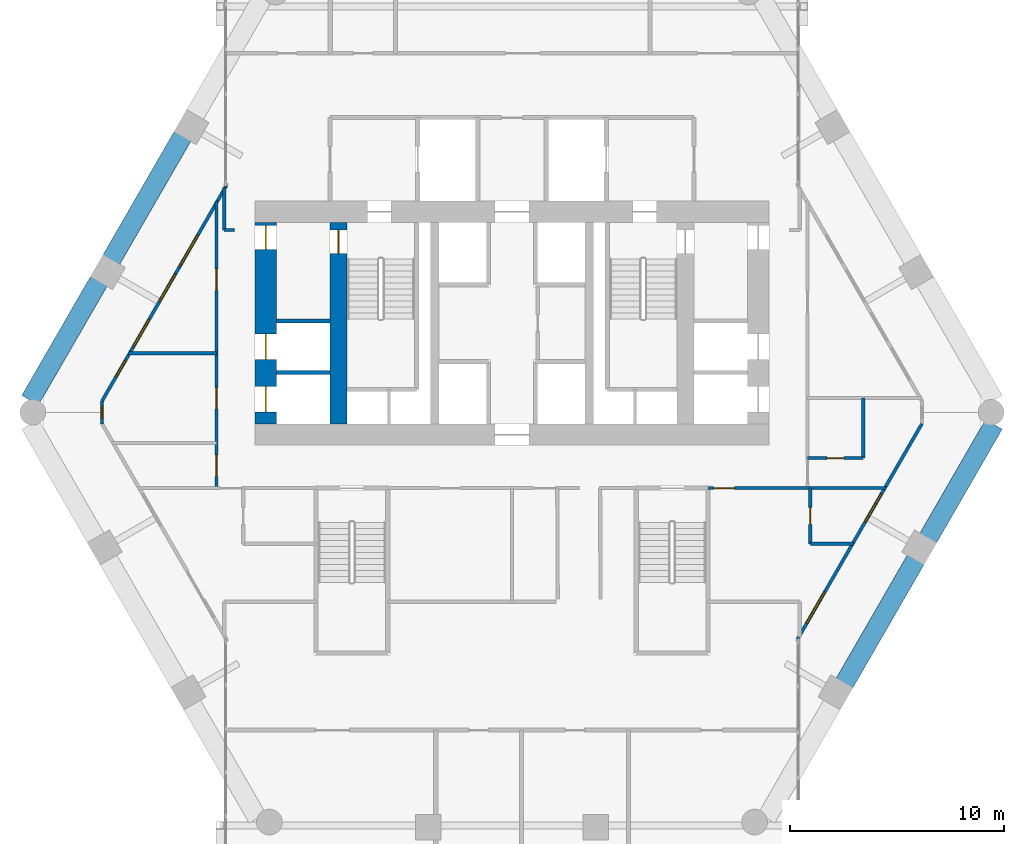
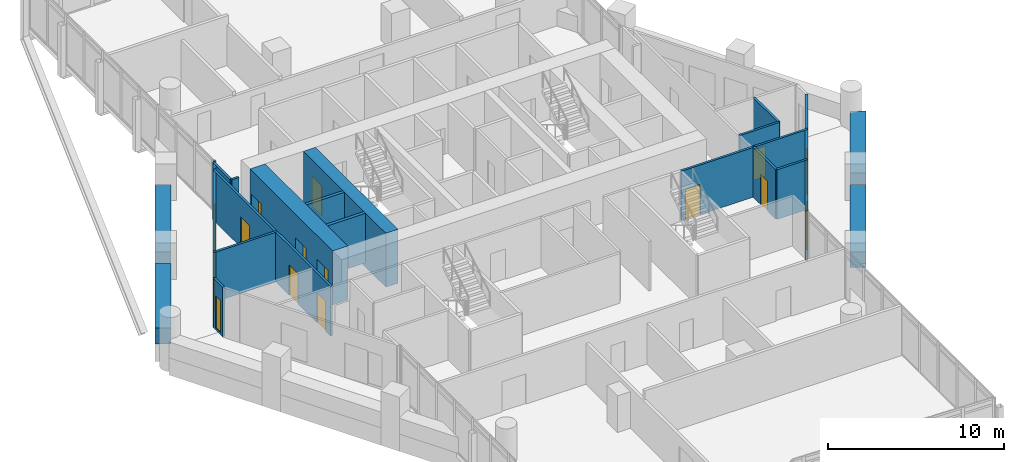
# One storey, part 31 of 37: 20 walls, 10 doors, 7 windows, 17 openings.
"""IFC4 building model written with IfcOpenShell, lengths in metres."""

from ifc_helpers import new_model, si_unit, direction, frame, frame_2d, origin, place, context, subcontext, project, spatial, rectangle, extrude, material, layer, layer_set, type_object, element, fill, save


model = new_model("IFC4")

# Units and contexts
model_context = context("Model", 3, precision=1e-05, world=origin(), true_north=direction((0.0, 1.0)))
body_context = subcontext(model_context, "Body", "Model", "MODEL_VIEW")
ifc_project = project(units=[si_unit("LENGTHUNIT", "METRE"), si_unit("AREAUNIT", "SQUARE_METRE"), si_unit("VOLUMEUNIT", "CUBIC_METRE"), si_unit("PLANEANGLEUNIT", "RADIAN"), si_unit("MASSUNIT", "GRAM", prefix="KILO")], contexts=[model_context])

# Site, building, storey
site_placement = place(None, origin())
site = spatial("IfcSite", under=ifc_project, at=site_placement, CompositionType="ELEMENT")
building_placement = place(site_placement, origin())
building = spatial("IfcBuilding", under=site, at=building_placement, Name="Ostrander Bayou Hotel Tower", CompositionType="ELEMENT")
storey_placement = place(building_placement, frame((0.0, 0.0, 93.0)))
storey = spatial("IfcBuildingStorey", under=building, at=storey_placement, Name="L23", CompositionType="ELEMENT", Elevation=93.0)

# Wall, openings, doors
ifc_material_1 = material(Name="Concrete f'c 70 MPa", Category="concrete")
ifc_layer_1 = layer(ifc_material_1, 1.0)
ifc_layer_set_1 = layer_set([ifc_layer_1], Name="CW4 core wall 1000 mm f'c 70 MPa")
wall_type_1 = type_object("IfcWallType", Name="CW4 core wall 1000 mm f'c 70 MPa", PredefinedType="SHEAR", material=ifc_layer_set_1)
wall_1_placement = place(storey_placement, frame((-11.5, -0.699951171875, -0.300048828125), z_axis=(0.0, 0.0, 1.0), x_axis=(0.0, 1.0, 0.0)))
wall_1 = element("IfcWall", 1, at=wall_1_placement, inside=storey, type_object=wall_type_1, Name="CW4 L23 RW", PredefinedType="SHEAR", context=body_context, shape_type="SweptSolid", body=[
    extrude(rectangle(XDim=9.39990234375, YDim=1.0, at=frame_2d((4.699951171875, 0.0))), origin(), (0.0, 0.0, 1.0), 3.75),
])
opening_1_placement = place(wall_1_placement, frame((8.14990234375, 0.0, 0.0)))
opening_1 = element("IfcOpeningElement", 2, at=opening_1_placement, cuts=wall_1, Name="Opening T23-015", PredefinedType="OPENING", context=body_context, shape_type="SweptSolid", body=[
    extrude(rectangle(XDim=1.10009765625, YDim=2.10009765625, at=frame_2d((0.550048828125, 1.050048828125))), frame((0.0, 0.5, 0.0), z_axis=(0.0, -1.0, 0.0), x_axis=(1.0, 0.0, 0.0)), (0.0, 0.0, 1.0), 1.0),
])
opening_2_placement = place(wall_1_placement, frame((0.550048828125, 0.0, 0.0)))
opening_2 = element("IfcOpeningElement", 3, at=opening_2_placement, cuts=wall_1, Name="Opening T23-016", PredefinedType="OPENING", context=body_context, shape_type="SweptSolid", body=[
    extrude(rectangle(XDim=1.199951171875, YDim=2.10009765625, at=frame_2d((0.60009765625, 1.050048828125))), frame((0.0, 0.5, 0.0), z_axis=(0.0, -1.0, 0.0), x_axis=(1.0, 0.0, 0.0)), (0.0, 0.0, 1.0), 1.0),
])
opening_3_placement = place(wall_1_placement, frame((3.0, 0.0, 0.0)))
opening_3 = element("IfcOpeningElement", 4, at=opening_3_placement, cuts=wall_1, Name="Opening T23-017", PredefinedType="OPENING", context=body_context, shape_type="SweptSolid", body=[
    extrude(rectangle(XDim=1.199951171875, YDim=2.10009765625, at=frame_2d((0.60009765625, 1.050048828125))), frame((0.0, 0.5, 0.0), z_axis=(0.0, -1.0, 0.0), x_axis=(1.0, 0.0, 0.0)), (0.0, 0.0, 1.0), 1.0),
])
ifc_material_2 = material(Name="Timber door leaf", Category="wood")
door_type_1 = type_object("IfcDoorType", Name="D5 stair door 1100 x 2100 mm, 90 minute", OperationType="SINGLE_SWING_LEFT", PredefinedType="DOOR", material=ifc_material_2)
door_1_placement = place(opening_1_placement, origin())
door_1 = element("IfcDoor", 5, at=door_1_placement, inside=storey, type_object=door_type_1, Name="dr:L23:015", OperationType="SINGLE_SWING_LEFT", OverallHeight=2.10009765625, OverallWidth=1.10009765625, PredefinedType="DOOR", context=body_context, shape_type="SweptSolid", body=[
    extrude(rectangle(XDim=1.10009765625, YDim=2.10009765625, at=frame_2d((0.550048828125, 1.050048828125))), frame((0.0, 0.02490234375, 0.0), z_axis=(0.0, -1.0, 0.0), x_axis=(1.0, 0.0, 0.0)), (0.0, 0.0, 1.0), 0.050048828125),
])
fill(opening_1, door_1)
ifc_material_3 = material(Name="Stainless steel sliding door", Category="steel")
door_type_2 = type_object("IfcDoorType", Name="LD1 lift landing door 1200 x 2100 mm", OperationType="SINGLE_SWING_LEFT", PredefinedType="DOOR", material=ifc_material_3)
door_2_placement = place(opening_2_placement, origin())
door_2 = element("IfcDoor", 6, at=door_2_placement, inside=storey, type_object=door_type_2, Name="dr:L23:016", OperationType="SLIDING_TO_LEFT", OverallHeight=2.10009765625, OverallWidth=1.199951171875, PredefinedType="DOOR", context=body_context, shape_type="SweptSolid", body=[
    extrude(rectangle(XDim=1.199951171875, YDim=2.10009765625, at=frame_2d((0.60009765625, 1.050048828125))), frame((0.0, 0.02490234375, 0.0), z_axis=(0.0, -1.0, 0.0), x_axis=(1.0, 0.0, 0.0)), (0.0, 0.0, 1.0), 0.050048828125),
])
fill(opening_2, door_2)
door_3_placement = place(opening_3_placement, origin())
door_3 = element("IfcDoor", 7, at=door_3_placement, inside=storey, type_object=door_type_2, Name="dr:L23:017", OperationType="SLIDING_TO_LEFT", OverallHeight=2.10009765625, OverallWidth=1.199951171875, PredefinedType="DOOR", context=body_context, shape_type="SweptSolid", body=[
    extrude(rectangle(XDim=1.199951171875, YDim=2.10009765625, at=frame_2d((0.60009765625, 1.050048828125))), frame((0.0, 0.02490234375, 0.0), z_axis=(0.0, -1.0, 0.0), x_axis=(1.0, 0.0, 0.0)), (0.0, 0.0, 1.0), 0.050048828125),
])
fill(opening_3, door_3)

# Wall, opening, door
ifc_material_4 = material(Name="Concrete f'c 70 MPa", Category="concrete")
ifc_layer_2 = layer(ifc_material_4, 0.800048828125)
ifc_layer_set_2 = layer_set([ifc_layer_2], Name="CW5 core spine wall 800 mm f'c 70 MPa")
wall_type_2 = type_object("IfcWallType", Name="CW5 core spine wall 800 mm f'c 70 MPa", PredefinedType="SHEAR", material=ifc_layer_set_2)
wall_2_placement = place(storey_placement, frame((-8.10009765625, -0.699951171875, -0.300048828125), z_axis=(0.0, 0.0, 1.0), x_axis=(0.0, 1.0, 0.0)))
wall_2 = element("IfcWall", 8, at=wall_2_placement, inside=storey, type_object=wall_type_2, Name="CW5 L23 W", PredefinedType="SHEAR", context=body_context, shape_type="SweptSolid", body=[
    extrude(rectangle(XDim=9.39990234375, YDim=0.800048828125, at=frame_2d((4.699951171875, 0.0))), origin(), (0.0, 0.0, 1.0), 3.75),
])
opening_4_placement = place(wall_2_placement, frame((7.949951171875, 0.0, 0.0)))
opening_4 = element("IfcOpeningElement", 9, at=opening_4_placement, cuts=wall_2, Name="Opening T23-004", PredefinedType="OPENING", context=body_context, shape_type="SweptSolid", body=[
    extrude(rectangle(XDim=1.10009765625, YDim=2.10009765625, at=frame_2d((0.550048828125, 1.050048828125))), frame((0.0, 0.39990234375, 0.0), z_axis=(0.0, -1.0, 0.0), x_axis=(1.0, 0.0, 0.0)), (0.0, 0.0, 1.0), 0.800048828125),
])
door_4_placement = place(opening_4_placement, origin())
door_4 = element("IfcDoor", 10, at=door_4_placement, inside=storey, type_object=door_type_1, Name="dr:L23:004", OperationType="SINGLE_SWING_RIGHT", OverallHeight=2.10009765625, OverallWidth=1.10009765625, PredefinedType="DOOR", context=body_context, shape_type="SweptSolid", body=[
    extrude(rectangle(XDim=1.10009765625, YDim=2.10009765625, at=frame_2d((0.550048828125, 1.050048828125))), frame((0.0, 0.02490234375, 0.0), z_axis=(0.0, -1.0, 0.0), x_axis=(1.0, 0.0, 0.0)), (0.0, 0.0, 1.0), 0.050048828125),
])
fill(opening_4, door_4)

# Wall, openings, windows
ifc_material_5 = material(Name="Aluminium framed insulated wall", Category="aluminium")
ifc_layer_3 = layer(ifc_material_5, 0.14990234375)
ifc_layer_set_3 = layer_set([ifc_layer_3], Name="GW1 glass-line wall 150 mm")
wall_type_3 = type_object("IfcWallType", Name="GW1 glass-line wall 150 mm", PredefinedType="SOLIDWALL", material=ifc_layer_set_3)
wall_3_placement = place(storey_placement, frame((-13.333984375, 10.427490234375, 0.0), z_axis=(0.0, 0.0, 1.0), x_axis=(-0.500002662854, -0.86602386638, 0.0)))
wall_3 = element("IfcWall", 11, at=wall_3_placement, inside=storey, type_object=wall_type_3, Name="GW1 L23 NW 1", PredefinedType="SOLIDWALL", context=body_context, shape_type="SweptSolid", body=[
    extrude(rectangle(XDim=11.61474609375, YDim=0.14990234375, at=frame_2d((5.807373046875, 0.0))), origin(), (0.0, 0.0, 1.0), 3.449951171875),
])
opening_5_placement = place(wall_3_placement, frame((2.66357421875, 0.0, 0.14990234375)))
opening_5 = element("IfcOpeningElement", 12, at=opening_5_placement, cuts=wall_3, Name="Opening W8", PredefinedType="OPENING", context=body_context, shape_type="SweptSolid", body=[
    extrude(rectangle(XDim=1.699951171875, YDim=2.199951171875, at=frame_2d((0.85009765625, 1.10009765625))), frame((0.0, 0.074951171875, 0.0), z_axis=(0.0, -1.0, 0.0), x_axis=(1.0, 0.0, 0.0)), (0.0, 0.0, 1.0), 0.14990234375),
])
opening_6_placement = place(wall_3_placement, frame((4.763671875, 0.0, 0.14990234375)))
opening_6 = element("IfcOpeningElement", 13, at=opening_6_placement, cuts=wall_3, Name="Opening W12", PredefinedType="OPENING", context=body_context, shape_type="SweptSolid", body=[
    extrude(rectangle(XDim=1.5, YDim=2.199951171875, at=frame_2d((0.75, 1.10009765625))), frame((0.0, 0.074951171875, 0.0), z_axis=(0.0, -1.0, 0.0), x_axis=(1.0, 0.0, 0.0)), (0.0, 0.0, 1.0), 0.14990234375),
])
opening_7_placement = place(wall_3_placement, frame((9.414306640625, 0.0, 0.14990234375)))
opening_7 = element("IfcOpeningElement", 14, at=opening_7_placement, cuts=wall_3, Name="Opening W16", PredefinedType="OPENING", context=body_context, shape_type="SweptSolid", body=[
    extrude(rectangle(XDim=0.89990234375, YDim=2.199951171875, at=frame_2d((0.449951171875, 1.10009765625))), frame((0.0, 0.074951171875, 0.0), z_axis=(0.0, -1.0, 0.0), x_axis=(1.0, 0.0, 0.0)), (0.0, 0.0, 1.0), 0.14990234375),
])
opening_8_placement = place(wall_3_placement, frame((7.21435546875, 0.0, 0.14990234375)))
opening_8 = element("IfcOpeningElement", 15, at=opening_8_placement, cuts=wall_3, Name="Opening W12", PredefinedType="OPENING", context=body_context, shape_type="SweptSolid", body=[
    extrude(rectangle(XDim=1.5, YDim=2.199951171875, at=frame_2d((0.75, 1.10009765625))), frame((0.0, 0.074951171875, 0.0), z_axis=(0.0, -1.0, 0.0), x_axis=(1.0, 0.0, 0.0)), (0.0, 0.0, 1.0), 0.14990234375),
])
ifc_material_6 = material(Name="Aluminium and clear glass", Category="aluminium")
window_type_1 = type_object("IfcWindowType", Name="W12 fixed window 1500 mm, bath bay, zone 2", PartitioningType="SINGLE_PANEL", PredefinedType="WINDOW", material=ifc_material_6)
window_1_placement = place(opening_6_placement, origin())
window_1 = element("IfcWindow", 16, at=window_1_placement, inside=storey, type_object=window_type_1, Name="W12 L23 NW 3", OverallHeight=2.199951171875, OverallWidth=1.5, PartitioningType="SINGLE_PANEL", PredefinedType="WINDOW", context=body_context, shape_type="SweptSolid", body=[
    extrude(rectangle(XDim=1.5, YDim=2.199951171875, at=frame_2d((0.75, 1.10009765625))), frame((0.0, 0.030029296875, 0.0), z_axis=(0.0, -1.0, 0.0), x_axis=(1.0, 0.0, 0.0)), (0.0, 0.0, 1.0), 0.06005859375),
])
fill(opening_6, window_1)
window_2_placement = place(opening_8_placement, origin())
window_2 = element("IfcWindow", 17, at=window_2_placement, inside=storey, type_object=window_type_1, Name="W12 L23 NW 4", OverallHeight=2.199951171875, OverallWidth=1.5, PartitioningType="SINGLE_PANEL", PredefinedType="WINDOW", context=body_context, shape_type="SweptSolid", body=[
    extrude(rectangle(XDim=1.5, YDim=2.199951171875, at=frame_2d((0.75, 1.10009765625))), frame((0.0, 0.030029296875, 0.0), z_axis=(0.0, -1.0, 0.0), x_axis=(1.0, 0.0, 0.0)), (0.0, 0.0, 1.0), 0.06005859375),
])
fill(opening_8, window_2)
ifc_material_7 = material(Name="Aluminium and clear glass", Category="aluminium")
window_type_2 = type_object("IfcWindowType", Name="W16 window 900 mm, zone 2", PartitioningType="SINGLE_PANEL", PredefinedType="WINDOW", material=ifc_material_7)
window_3_placement = place(opening_7_placement, origin())
window_3 = element("IfcWindow", 18, at=window_3_placement, inside=storey, type_object=window_type_2, Name="W16 L23 NW 4", OverallHeight=2.199951171875, OverallWidth=0.89990234375, PartitioningType="SINGLE_PANEL", PredefinedType="WINDOW", context=body_context, shape_type="SweptSolid", body=[
    extrude(rectangle(XDim=0.89990234375, YDim=2.199951171875, at=frame_2d((0.449951171875, 1.10009765625))), frame((0.0, 0.030029296875, 0.0), z_axis=(0.0, -1.0, 0.0), x_axis=(1.0, 0.0, 0.0)), (0.0, 0.0, 1.0), 0.06005859375),
])
fill(opening_7, window_3)
ifc_material_8 = material(Name="Aluminium and clear glass", Category="aluminium")
window_type_3 = type_object("IfcWindowType", Name="W8 fixed window 1700 mm, bar storeys, zone 2", PartitioningType="SINGLE_PANEL", PredefinedType="WINDOW", material=ifc_material_8)
window_4_placement = place(opening_5_placement, origin())
window_4 = element("IfcWindow", 19, at=window_4_placement, inside=storey, type_object=window_type_3, Name="W8 L23 NW 3", OverallHeight=2.199951171875, OverallWidth=1.699951171875, PartitioningType="SINGLE_PANEL", PredefinedType="WINDOW", context=body_context, shape_type="SweptSolid", body=[
    extrude(rectangle(XDim=1.699951171875, YDim=2.199951171875, at=frame_2d((0.85009765625, 1.10009765625))), frame((0.0, 0.030029296875, 0.0), z_axis=(0.0, -1.0, 0.0), x_axis=(1.0, 0.0, 0.0)), (0.0, 0.0, 1.0), 0.06005859375),
])
fill(opening_5, window_4)

wall_4_placement = place(storey_placement, frame((13.333984375, -10.7548828125, 0.0), z_axis=(0.0, 0.0, 1.0), x_axis=(0.500002662854, 0.86602386638, 0.0)))
wall_4 = element("IfcWall", 20, at=wall_4_placement, inside=storey, type_object=wall_type_3, Name="GW1 L23 SE 1", PredefinedType="SOLIDWALL", context=body_context, shape_type="SweptSolid", body=[
    extrude(rectangle(XDim=11.61474609375, YDim=0.14990234375, at=frame_2d((5.807373046875, 0.0))), origin(), (0.0, 0.0, 1.0), 3.449951171875),
])
opening_9_placement = place(wall_4_placement, frame((0.84716796875, 0.0, 0.14990234375)))
opening_9 = element("IfcOpeningElement", 21, at=opening_9_placement, cuts=wall_4, Name="Opening W8", PredefinedType="OPENING", context=body_context, shape_type="SweptSolid", body=[
    extrude(rectangle(XDim=1.699951171875, YDim=2.199951171875, at=frame_2d((0.85009765625, 1.10009765625))), frame((0.0, 0.074951171875, 0.0), z_axis=(0.0, -1.0, 0.0), x_axis=(1.0, 0.0, 0.0)), (0.0, 0.0, 1.0), 0.14990234375),
])
opening_10_placement = place(wall_4_placement, frame((6.322265625, 0.0, 0.14990234375)))
opening_10 = element("IfcOpeningElement", 22, at=opening_10_placement, cuts=wall_4, Name="Opening W12", PredefinedType="OPENING", context=body_context, shape_type="SweptSolid", body=[
    extrude(rectangle(XDim=1.5, YDim=2.199951171875, at=frame_2d((0.75, 1.10009765625))), frame((0.0, 0.074951171875, 0.0), z_axis=(0.0, -1.0, 0.0), x_axis=(1.0, 0.0, 0.0)), (0.0, 0.0, 1.0), 0.14990234375),
])
window_5_placement = place(opening_10_placement, origin())
window_5 = element("IfcWindow", 23, at=window_5_placement, inside=storey, type_object=window_type_1, Name="W12 L23 SE 3", OverallHeight=2.199951171875, OverallWidth=1.5, PartitioningType="SINGLE_PANEL", PredefinedType="WINDOW", context=body_context, shape_type="SweptSolid", body=[
    extrude(rectangle(XDim=1.5, YDim=2.199951171875, at=frame_2d((0.75, 1.10009765625))), frame((0.0, 0.030029296875, 0.0), z_axis=(0.0, -1.0, 0.0), x_axis=(1.0, 0.0, 0.0)), (0.0, 0.0, 1.0), 0.06005859375),
])
fill(opening_10, window_5)
window_6_placement = place(opening_9_placement, origin())
window_6 = element("IfcWindow", 24, at=window_6_placement, inside=storey, type_object=window_type_3, Name="W8 L23 SE 2", OverallHeight=2.199951171875, OverallWidth=1.699951171875, PartitioningType="SINGLE_PANEL", PredefinedType="WINDOW", context=body_context, shape_type="SweptSolid", body=[
    extrude(rectangle(XDim=1.699951171875, YDim=2.199951171875, at=frame_2d((0.85009765625, 1.10009765625))), frame((0.0, 0.030029296875, 0.0), z_axis=(0.0, -1.0, 0.0), x_axis=(1.0, 0.0, 0.0)), (0.0, 0.0, 1.0), 0.06005859375),
])
fill(opening_9, window_6)

# Wall, opening, window
wall_5_placement = place(storey_placement, frame((-19.141357421875, 0.368896484375, 0.0), z_axis=(0.0, 0.0, 1.0), x_axis=(0.0, -1.0, 0.0)))
wall_5 = element("IfcWall", 25, at=wall_5_placement, inside=storey, type_object=wall_type_3, Name="GW1 L23 corner 2", PredefinedType="SOLIDWALL", context=body_context, shape_type="SweptSolid", body=[
    extrude(rectangle(XDim=1.065185546875, YDim=0.14990234375, at=frame_2d((0.53271484375, 0.0))), origin(), (0.0, 0.0, 1.0), 3.449951171875),
])
opening_11_placement = place(wall_5_placement, frame((0.257568359375, 0.0, 0.14990234375)))
opening_11 = element("IfcOpeningElement", 26, at=opening_11_placement, cuts=wall_5, Name="Opening W19", PredefinedType="OPENING", context=body_context, shape_type="SweptSolid", body=[
    extrude(rectangle(XDim=0.550048828125, YDim=2.199951171875, at=frame_2d((0.27490234375, 1.10009765625))), frame((0.0, 0.074951171875, 0.0), z_axis=(0.0, -1.0, 0.0), x_axis=(1.0, 0.0, 0.0)), (0.0, 0.0, 1.0), 0.14990234375),
])
ifc_material_9 = material(Name="Aluminium and clear glass", Category="aluminium")
window_type_4 = type_object("IfcWindowType", Name="W19 corner window 550 mm", PartitioningType="SINGLE_PANEL", PredefinedType="WINDOW", material=ifc_material_9)
window_7_placement = place(opening_11_placement, origin())
window_7 = element("IfcWindow", 27, at=window_7_placement, inside=storey, type_object=window_type_4, Name="W19 L23 corner 2", OverallHeight=2.199951171875, OverallWidth=0.550048828125, PartitioningType="SINGLE_PANEL", PredefinedType="WINDOW", context=body_context, shape_type="SweptSolid", body=[
    extrude(rectangle(XDim=0.550048828125, YDim=2.199951171875, at=frame_2d((0.27490234375, 1.10009765625))), frame((0.0, 0.030029296875, 0.0), z_axis=(0.0, -1.0, 0.0), x_axis=(1.0, 0.0, 0.0)), (0.0, 0.0, 1.0), 0.06005859375),
])
fill(opening_11, window_7)

# Walls
ifc_material_10 = material(Name="Concrete f'c 40 MPa", Category="concrete")
ifc_layer_4 = layer(ifc_material_10, 0.89990234375)
ifc_layer_set_4 = layer_set([ifc_layer_4], Name="PA1 stone-faced parapet 900 mm")
wall_type_4 = type_object("IfcWallType", Name="PA1 stone-faced parapet 900 mm", PredefinedType="PARAPET", material=ifc_layer_set_4)
wall_6_placement = place(storey_placement, frame((-15.380615234375, 12.73291015625, 0.0), z_axis=(0.0, 0.0, 1.0), x_axis=(-0.499999023957, -0.866025967302, 0.0)))
element("IfcWall", 28, at=wall_6_placement, inside=storey, type_object=wall_type_4, Name="PA1 L23 NW-2", PredefinedType="PARAPET", context=body_context, shape_type="SweptSolid", body=[
    extrude(rectangle(XDim=6.67333984375, YDim=0.89990234375, at=frame_2d((3.336669921875, 0.0))), origin(), (0.0, 0.0, 1.0), 1.10009765625),
])
wall_7_placement = place(storey_placement, frame((-19.287109375, 5.96630859375, 0.0), z_axis=(0.0, 0.0, 1.0), x_axis=(-0.500011789842, -0.866018596809, 0.0)))
element("IfcWall", 29, at=wall_7_placement, inside=storey, type_object=wall_type_4, Name="PA1 L23 NW-3", PredefinedType="PARAPET", context=body_context, shape_type="SweptSolid", body=[
    extrude(rectangle(XDim=6.427490234375, YDim=0.89990234375, at=frame_2d((3.2138671875, 0.0))), origin(), (0.0, 0.0, 1.0), 1.10009765625),
])
ifc_material_11 = material(Name="Limestone masonry", Category="masonry")
ifc_layer_5 = layer(ifc_material_11, 0.89990234375)
ifc_layer_set_5 = layer_set([ifc_layer_5], Name="PA2 limestone parapet 900 mm")
wall_type_5 = type_object("IfcWallType", Name="PA2 limestone parapet 900 mm", PredefinedType="PARAPET", material=ifc_layer_set_5)
wall_8_placement = place(storey_placement, frame((15.522216796875, -12.814697265625, 0.0), z_axis=(0.0, 0.0, 1.0), x_axis=(0.499999023957, 0.866025967302, 0.0)))
element("IfcWall", 30, at=wall_8_placement, inside=storey, type_object=wall_type_5, Name="PA2 L23 SE-2", PredefinedType="PARAPET", context=body_context, shape_type="SweptSolid", body=[
    extrude(rectangle(XDim=6.67333984375, YDim=0.89990234375, at=frame_2d((3.336669921875, 0.0))), origin(), (0.0, 0.0, 1.0), 1.10009765625),
])
wall_9_placement = place(storey_placement, frame((19.428955078125, -6.048095703125, 0.0), z_axis=(0.0, 0.0, 1.0), x_axis=(0.500006801911, 0.866021476663, 0.0)))
element("IfcWall", 31, at=wall_9_placement, inside=storey, type_object=wall_type_5, Name="PA2 L23 SE-3", PredefinedType="PARAPET", context=body_context, shape_type="SweptSolid", body=[
    extrude(rectangle(XDim=6.14404296875, YDim=0.89990234375, at=frame_2d((3.072021484375, 0.0))), origin(), (0.0, 0.0, 1.0), 1.10009765625),
])
ifc_material_12 = material(Name="Masonry block", Category="masonry")
ifc_layer_6 = layer(ifc_material_12, 0.199951171875)
ifc_layer_set_6 = layer_set([ifc_layer_6], Name="PT6 lift shaft wall 200 mm masonry, 2 hour")
wall_type_6 = type_object("IfcWallType", Name="PT6 lift shaft wall 200 mm masonry, 2 hour", PredefinedType="PARTITIONING", material=ifc_layer_set_6)
for number, where, z_axis, x_axis, name in (
    (32, (-11.0, 1.699951171875, 0.0), (0.0, 0.0, 1.0), (1.0, 0.0, 0.0), "cs:L23:031"),
    (33, (-11.0, 4.10009765625, 0.0), (0.0, 0.0, 1.0), (1.0, 0.0, 0.0), "cs:L23:032"),
):
    element("IfcWall", number, at=place(storey_placement, frame(where, z_axis=z_axis, x_axis=x_axis)), inside=storey, type_object=wall_type_6, Name=name, PredefinedType="PARTITIONING", context=body_context, shape_type="SweptSolid", body=[
        extrude(rectangle(XDim=2.5, YDim=0.199951171875, at=frame_2d((1.25, 0.0))), origin(), (0.0, 0.0, 1.0), 3.449951171875),
    ])
ifc_material_13 = material(Name="Gypsum board partition", Category="finish")
ifc_layer_7 = layer(ifc_material_13, 0.14990234375)
ifc_layer_set_7 = layer_set([ifc_layer_7], Name="PT8 service band wall 150 mm, 1 hour")
wall_type_7 = type_object("IfcWallType", Name="PT8 service band wall 150 mm, 1 hour", PredefinedType="PARTITIONING", material=ifc_layer_set_7)
wall_10_placement = place(storey_placement, frame((13.929931640625, -6.300048828125, 0.0), z_axis=(0.0, 0.0, 1.0), x_axis=(1.0, 0.0, 0.0)))
element("IfcWall", 34, at=wall_10_placement, inside=storey, type_object=wall_type_7, Name="gw:L23:005", PredefinedType="PARTITIONING", context=body_context, shape_type="SweptSolid", body=[
    extrude(rectangle(XDim=2.028076171875, YDim=0.14990234375, at=frame_2d((1.01416015625, 0.0))), origin(), (0.0, 0.0, 1.0), 3.449951171875),
])

# Wall, opening, door
wall_11_placement = place(storey_placement, frame((9.159912109375, -3.699951171875, 0.0), z_axis=(0.0, 0.0, 1.0), x_axis=(1.0, 0.0, 0.0)))
wall_11 = element("IfcWall", 35, at=wall_11_placement, inside=storey, type_object=wall_type_7, Name="gw:L23:009", PredefinedType="PARTITIONING", context=body_context, shape_type="SweptSolid", body=[
    extrude(rectangle(XDim=8.299072265625, YDim=0.14990234375, at=frame_2d((4.1494140625, 0.0))), origin(), (0.0, 0.0, 1.0), 3.449951171875),
])
opening_12_placement = place(wall_11_placement, frame((0.239990234375, 0.0, 0.0)))
opening_12 = element("IfcOpeningElement", 36, at=opening_12_placement, cuts=wall_11, Name="Opening T23-404", PredefinedType="OPENING", context=body_context, shape_type="SweptSolid", body=[
    extrude(rectangle(XDim=1.0, YDim=2.10009765625, at=frame_2d((0.5, 1.050048828125))), frame((0.0, 0.074951171875, 0.0), z_axis=(0.0, -1.0, 0.0), x_axis=(1.0, 0.0, 0.0)), (0.0, 0.0, 1.0), 0.14990234375),
])
ifc_material_14 = material(Name="Timber door leaf", Category="wood")
door_type_3 = type_object("IfcDoorType", Name="D1 guest room door 1000 x 2100 mm, 30 minute", OperationType="SINGLE_SWING_LEFT", PredefinedType="DOOR", material=ifc_material_14)
door_5_placement = place(opening_12_placement, origin())
door_5 = element("IfcDoor", 37, at=door_5_placement, inside=storey, type_object=door_type_3, Name="dr:L23:404", OperationType="SINGLE_SWING_LEFT", OverallHeight=2.10009765625, OverallWidth=1.0, PredefinedType="DOOR", context=body_context, shape_type="SweptSolid", body=[
    extrude(rectangle(XDim=1.0, YDim=2.10009765625, at=frame_2d((0.5, 1.050048828125))), frame((0.0, 0.02490234375, 0.0), z_axis=(0.0, -1.0, 0.0), x_axis=(1.0, 0.0, 0.0)), (0.0, 0.0, 1.0), 0.050048828125),
])
fill(opening_12, door_5)

wall_12_placement = place(storey_placement, frame((13.800048828125, -2.300048828125, 0.0), z_axis=(0.0, 0.0, 1.0), x_axis=(1.0, 0.0, 0.0)))
wall_12 = element("IfcWall", 38, at=wall_12_placement, inside=storey, type_object=wall_type_7, Name="gw:L23:010", PredefinedType="PARTITIONING", context=body_context, shape_type="SweptSolid", body=[
    extrude(rectangle(XDim=2.599853515625, YDim=0.14990234375, at=frame_2d((1.2998046875, 0.0))), origin(), (0.0, 0.0, 1.0), 3.449951171875),
])
opening_13_placement = place(wall_12_placement, frame((0.89990234375, 0.0, 0.0)))
opening_13 = element("IfcOpeningElement", 39, at=opening_13_placement, cuts=wall_12, Name="Opening T23-410", PredefinedType="OPENING", context=body_context, shape_type="SweptSolid", body=[
    extrude(rectangle(XDim=0.800048828125, YDim=2.10009765625, at=frame_2d((0.39990234375, 1.050048828125))), frame((0.0, 0.074951171875, 0.0), z_axis=(0.0, -1.0, 0.0), x_axis=(1.0, 0.0, 0.0)), (0.0, 0.0, 1.0), 0.14990234375),
])
ifc_material_15 = material(Name="Timber door leaf", Category="wood")
door_type_4 = type_object("IfcDoorType", Name="D2 bathroom door 800 x 2100 mm", OperationType="SINGLE_SWING_LEFT", PredefinedType="DOOR", material=ifc_material_15)
door_6_placement = place(opening_13_placement, origin())
door_6 = element("IfcDoor", 40, at=door_6_placement, inside=storey, type_object=door_type_4, Name="dr:L23:410", OperationType="SINGLE_SWING_LEFT", OverallHeight=2.10009765625, OverallWidth=0.800048828125, PredefinedType="DOOR", context=body_context, shape_type="SweptSolid", body=[
    extrude(rectangle(XDim=0.800048828125, YDim=2.10009765625, at=frame_2d((0.39990234375, 1.050048828125))), frame((0.0, 0.02490234375, 0.0), z_axis=(0.0, -1.0, 0.0), x_axis=(1.0, 0.0, 0.0)), (0.0, 0.0, 1.0), 0.050048828125),
])
fill(opening_13, door_6)

# Walls
wall_13_placement = place(storey_placement, frame((-17.905029296875, 2.60009765625, 0.0), z_axis=(0.0, 0.0, 1.0), x_axis=(1.0, 0.0, 0.0)))
element("IfcWall", 41, at=wall_13_placement, inside=storey, type_object=wall_type_7, Name="gw:L23:013", PredefinedType="PARTITIONING", context=body_context, shape_type="SweptSolid", body=[
    extrude(rectangle(XDim=4.10498046875, YDim=0.14990234375, at=frame_2d((2.052490234375, 0.0))), origin(), (0.0, 0.0, 1.0), 3.449951171875),
])
wall_14_placement = place(storey_placement, frame((-13.43994140625, 8.35498046875, 0.0), z_axis=(0.0, 0.0, 1.0), x_axis=(1.0, 0.0, 0.0)))
element("IfcWall", 42, at=wall_14_placement, inside=storey, type_object=wall_type_7, Name="gw:L23:014", PredefinedType="PARTITIONING", context=body_context, shape_type="SweptSolid", body=[
    extrude(rectangle(XDim=0.489990234375, YDim=0.14990234375, at=frame_2d((0.2451171875, 0.0))), origin(), (0.0, 0.0, 1.0), 3.449951171875),
])
wall_15_placement = place(storey_placement, frame((16.39990234375, -2.300048828125, 0.0), z_axis=(0.0, 0.0, 1.0), x_axis=(0.0, 1.0, 0.0)))
element("IfcWall", 43, at=wall_15_placement, inside=storey, type_object=wall_type_7, Name="gw:L23:016", PredefinedType="PARTITIONING", context=body_context, shape_type="SweptSolid", body=[
    extrude(rectangle(XDim=2.800048828125, YDim=0.14990234375, at=frame_2d((1.39990234375, 0.0))), origin(), (0.0, 0.0, 1.0), 3.449951171875),
])

# Wall, opening, door
wall_16_placement = place(storey_placement, frame((13.929931640625, -6.300048828125, 0.0), z_axis=(0.0, 0.0, 1.0), x_axis=(0.0, 1.0, 0.0)))
wall_16 = element("IfcWall", 44, at=wall_16_placement, inside=storey, type_object=wall_type_7, Name="gw:L23:017", PredefinedType="PARTITIONING", context=body_context, shape_type="SweptSolid", body=[
    extrude(rectangle(XDim=2.60009765625, YDim=0.14990234375, at=frame_2d((1.300048828125, 0.0))), origin(), (0.0, 0.0, 1.0), 3.449951171875),
])
opening_14_placement = place(wall_16_placement, frame((0.89990234375, 0.0, 0.0)))
opening_14 = element("IfcOpeningElement", 45, at=opening_14_placement, cuts=wall_16, Name="Opening T23-405", PredefinedType="OPENING", context=body_context, shape_type="SweptSolid", body=[
    extrude(rectangle(XDim=0.800048828125, YDim=2.10009765625, at=frame_2d((0.39990234375, 1.050048828125))), frame((0.0, 0.074951171875, 0.0), z_axis=(0.0, -1.0, 0.0), x_axis=(1.0, 0.0, 0.0)), (0.0, 0.0, 1.0), 0.14990234375),
])
door_7_placement = place(opening_14_placement, origin())
door_7 = element("IfcDoor", 46, at=door_7_placement, inside=storey, type_object=door_type_4, Name="dr:L23:405", OperationType="SINGLE_SWING_RIGHT", OverallHeight=2.10009765625, OverallWidth=0.800048828125, PredefinedType="DOOR", context=body_context, shape_type="SweptSolid", body=[
    extrude(rectangle(XDim=0.800048828125, YDim=2.10009765625, at=frame_2d((0.39990234375, 1.050048828125))), frame((0.0, 0.02490234375, 0.0), z_axis=(0.0, -1.0, 0.0), x_axis=(1.0, 0.0, 0.0)), (0.0, 0.0, 1.0), 0.050048828125),
])
fill(opening_14, door_7)

# Wall
wall_17_placement = place(storey_placement, frame((-13.43994140625, 8.35498046875, 0.0), z_axis=(0.0, 0.0, 1.0), x_axis=(0.0, 1.0, 0.0)))
element("IfcWall", 47, at=wall_17_placement, inside=storey, type_object=wall_type_7, Name="gw:L23:024", PredefinedType="PARTITIONING", context=body_context, shape_type="SweptSolid", body=[
    extrude(rectangle(XDim=1.97900390625, YDim=0.14990234375, at=frame_2d((0.989501953125, 0.0))), origin(), (0.0, 0.0, 1.0), 3.449951171875),
])

# Wall, openings, doors
wall_18_placement = place(storey_placement, frame((-13.800048828125, -3.699951171875, 0.0), z_axis=(0.0, 0.0, 1.0), x_axis=(0.0, 1.0, 0.0)))
wall_18 = element("IfcWall", 48, at=wall_18_placement, inside=storey, type_object=wall_type_7, Name="gw:L23:025", PredefinedType="PARTITIONING", context=body_context, shape_type="SweptSolid", body=[
    extrude(rectangle(XDim=13.409912109375, YDim=0.14990234375, at=frame_2d((6.705078125, 0.0))), origin(), (0.0, 0.0, 1.0), 3.449951171875),
])
opening_15_placement = place(wall_18_placement, frame((0.550048828125, 0.0, 0.0)))
opening_15 = element("IfcOpeningElement", 49, at=opening_15_placement, cuts=wall_18, Name="Opening T23-406", PredefinedType="OPENING", context=body_context, shape_type="SweptSolid", body=[
    extrude(rectangle(XDim=1.0, YDim=2.10009765625, at=frame_2d((0.5, 1.050048828125))), frame((0.0, 0.074951171875, 0.0), z_axis=(0.0, -1.0, 0.0), x_axis=(1.0, 0.0, 0.0)), (0.0, 0.0, 1.0), 0.14990234375),
])
opening_16_placement = place(wall_18_placement, frame((3.699951171875, 0.0, 0.0)))
opening_16 = element("IfcOpeningElement", 50, at=opening_16_placement, cuts=wall_18, Name="Opening T23-407", PredefinedType="OPENING", context=body_context, shape_type="SweptSolid", body=[
    extrude(rectangle(XDim=1.0, YDim=2.10009765625, at=frame_2d((0.5, 1.050048828125))), frame((0.0, 0.074951171875, 0.0), z_axis=(0.0, -1.0, 0.0), x_axis=(1.0, 0.0, 0.0)), (0.0, 0.0, 1.0), 0.14990234375),
])
opening_17_placement = place(wall_18_placement, frame((9.23291015625, 0.0, 0.0)))
opening_17 = element("IfcOpeningElement", 51, at=opening_17_placement, cuts=wall_18, Name="Opening T23-408", PredefinedType="OPENING", context=body_context, shape_type="SweptSolid", body=[
    extrude(rectangle(XDim=1.0, YDim=2.10009765625, at=frame_2d((0.5, 1.050048828125))), frame((0.0, 0.074951171875, 0.0), z_axis=(0.0, -1.0, 0.0), x_axis=(1.0, 0.0, 0.0)), (0.0, 0.0, 1.0), 0.14990234375),
])
ifc_material_16 = material(Name="Timber door leaf", Category="wood")
door_type_5 = type_object("IfcDoorType", Name="D9 service door 1000 x 2100 mm, 30 minute", OperationType="SINGLE_SWING_LEFT", PredefinedType="DOOR", material=ifc_material_16)
door_8_placement = place(opening_15_placement, origin())
door_8 = element("IfcDoor", 52, at=door_8_placement, inside=storey, type_object=door_type_5, Name="dr:L23:406", OperationType="SINGLE_SWING_LEFT", OverallHeight=2.10009765625, OverallWidth=1.0, PredefinedType="DOOR", context=body_context, shape_type="SweptSolid", body=[
    extrude(rectangle(XDim=1.0, YDim=2.10009765625, at=frame_2d((0.5, 1.050048828125))), frame((0.0, 0.02490234375, 0.0), z_axis=(0.0, -1.0, 0.0), x_axis=(1.0, 0.0, 0.0)), (0.0, 0.0, 1.0), 0.050048828125),
])
fill(opening_15, door_8)
door_9_placement = place(opening_16_placement, origin())
door_9 = element("IfcDoor", 53, at=door_9_placement, inside=storey, type_object=door_type_5, Name="dr:L23:407", OperationType="SINGLE_SWING_LEFT", OverallHeight=2.10009765625, OverallWidth=1.0, PredefinedType="DOOR", context=body_context, shape_type="SweptSolid", body=[
    extrude(rectangle(XDim=1.0, YDim=2.10009765625, at=frame_2d((0.5, 1.050048828125))), frame((0.0, 0.02490234375, 0.0), z_axis=(0.0, -1.0, 0.0), x_axis=(1.0, 0.0, 0.0)), (0.0, 0.0, 1.0), 0.050048828125),
])
fill(opening_16, door_9)
door_10_placement = place(opening_17_placement, origin())
door_10 = element("IfcDoor", 54, at=door_10_placement, inside=storey, type_object=door_type_5, Name="dr:L23:408", OperationType="SINGLE_SWING_LEFT", OverallHeight=2.10009765625, OverallWidth=1.0, PredefinedType="DOOR", context=body_context, shape_type="SweptSolid", body=[
    extrude(rectangle(XDim=1.0, YDim=2.10009765625, at=frame_2d((0.5, 1.050048828125))), frame((0.0, 0.02490234375, 0.0), z_axis=(0.0, -1.0, 0.0), x_axis=(1.0, 0.0, 0.0)), (0.0, 0.0, 1.0), 0.050048828125),
])
fill(opening_17, door_10)

save(model, "model.ifc")
